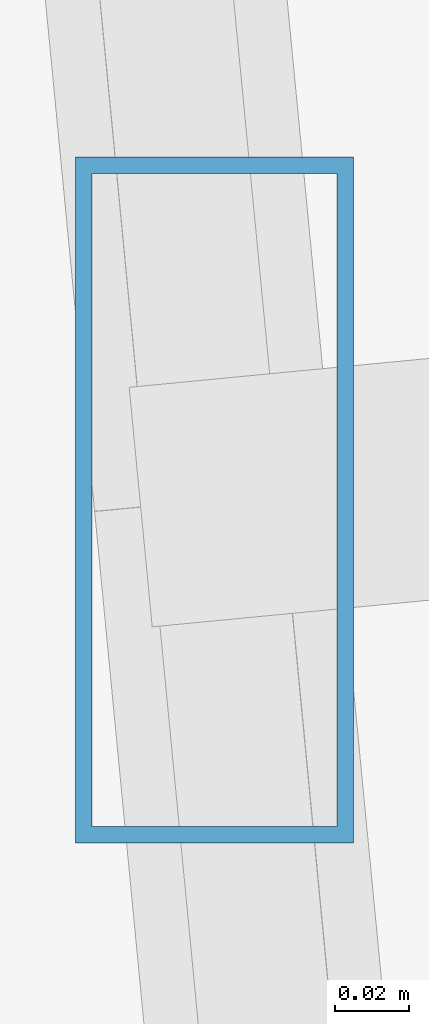
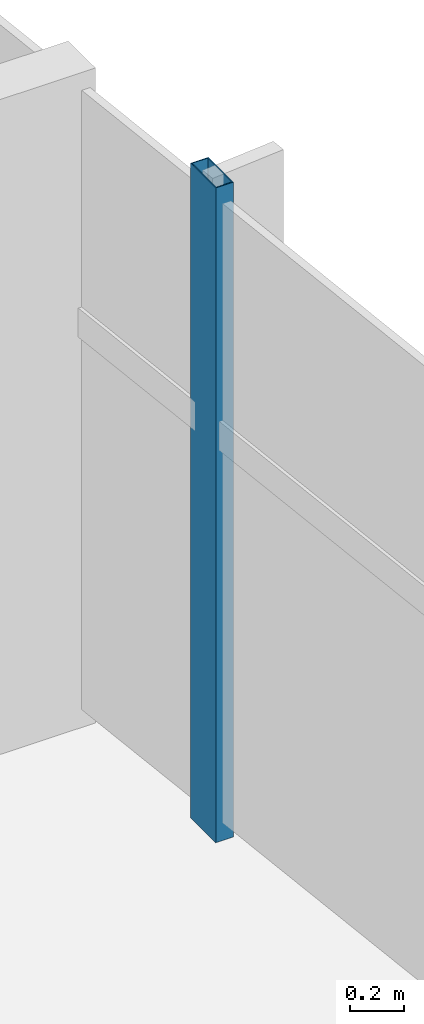
# One storey, part 16 of 27: 1 member, 1 element without a shape of its own.
"""IFC4 building model written with IfcOpenShell, lengths in metres."""

from ifc_helpers import new_model, si_unit, direction, frame, origin, origin_2d, place, context, subcontext, project, spatial, hollow_rectangle, extrude, source, transform, mapped, material, material_profile, profile_set, type_object, type_shapes, element, aggregate, save


model = new_model("IFC4")

# Units and contexts
model_context = context("Model", 3, precision=1e-05, world=origin(), true_north=direction((0.0, 1.0)))
body_context = subcontext(model_context, "Body", "Model", "MODEL_VIEW")
ifc_project = project(units=[si_unit("LENGTHUNIT", "METRE"), si_unit("AREAUNIT", "SQUARE_METRE"), si_unit("VOLUMEUNIT", "CUBIC_METRE"), si_unit("PLANEANGLEUNIT", "RADIAN"), si_unit("MASSUNIT", "GRAM", prefix="KILO")], contexts=[model_context])

# Site, building, storey
site_placement = place(None, origin())
site = spatial("IfcSite", under=ifc_project, at=site_placement, CompositionType="ELEMENT")
building_placement = place(site_placement, origin())
building = spatial("IfcBuilding", under=site, at=building_placement, Name="Astriad Promenade Condominiums", CompositionType="ELEMENT")
storey_placement = place(building_placement, frame((0.0, 0.0, 93.800048828125)))
storey = spatial("IfcBuildingStorey", under=building, at=storey_placement, Name="L26", CompositionType="ELEMENT", Elevation=93.800048828125)

# Curtain wall, member
ifc_material_1 = material(Name="Anodised aluminium Black Dark Glass Unitised", Category="aluminium")
curtain_wall_type = type_object("IfcCurtainWallType", Name="CW-B2-DARK", PredefinedType="USERDEFINED", material=ifc_material_1)
curtain_wall_placement = place(storey_placement, origin())
curtain_wall = element("IfcCurtainWall", 1, at=curtain_wall_placement, inside=storey, type_object=curtain_wall_type, Name="CW-L26-E", ObjectType="UNITISED_CURTAIN_WALL", PredefinedType="USERDEFINED")
ifc_material_2 = material(Name="Anodised aluminium 6063-T6 Black", Category="aluminium")
ifc_material_profile = material_profile(ifc_material_2, hollow_rectangle(XDim=0.074951171875, YDim=0.18505859375, WallThickness=0.00439453125, at=origin_2d()), Name="ALU-MUL-75X185")
ifc_profile_set = profile_set([ifc_material_profile], Name="Anodised aluminium 6063-T6 Black")
member_type = type_object("IfcMemberType", Name="MUL-ALU-MUL-75X185", PredefinedType="MULLION", material=ifc_profile_set)
shared_shape = source(origin(), body_context, "Body", "SweptSolid", [
    extrude(hollow_rectangle(XDim=0.074951171875, YDim=0.18505859375, WallThickness=0.00439453125, at=origin_2d()), origin(), (0.0, 0.0, 1.0), 2.93994140625),
])
type_shapes(member_type, [shared_shape])
member_placement = place(storey_placement, frame((68.972900390625, 16.6552734375, 0.0), z_axis=(0.0, 0.0, 1.0), x_axis=(1.0, 0.0, 0.0)))
member = element("IfcMember", 2, at=member_placement, type_object=member_type, Name="CW-L26-E-MUL-02", PredefinedType="MULLION", context=body_context, shape_type="MappedRepresentation", body=[
    mapped(shared_shape, transform((0.0, 0.0, 0.0), scale=1.0)),
])
aggregate(curtain_wall, [member])

save(model, "model.ifc")
